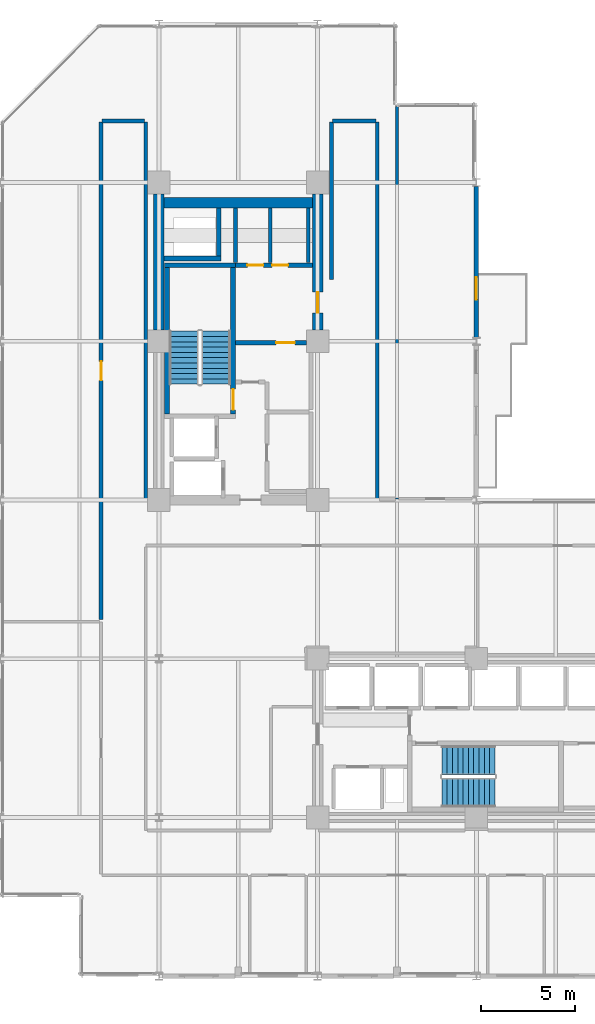
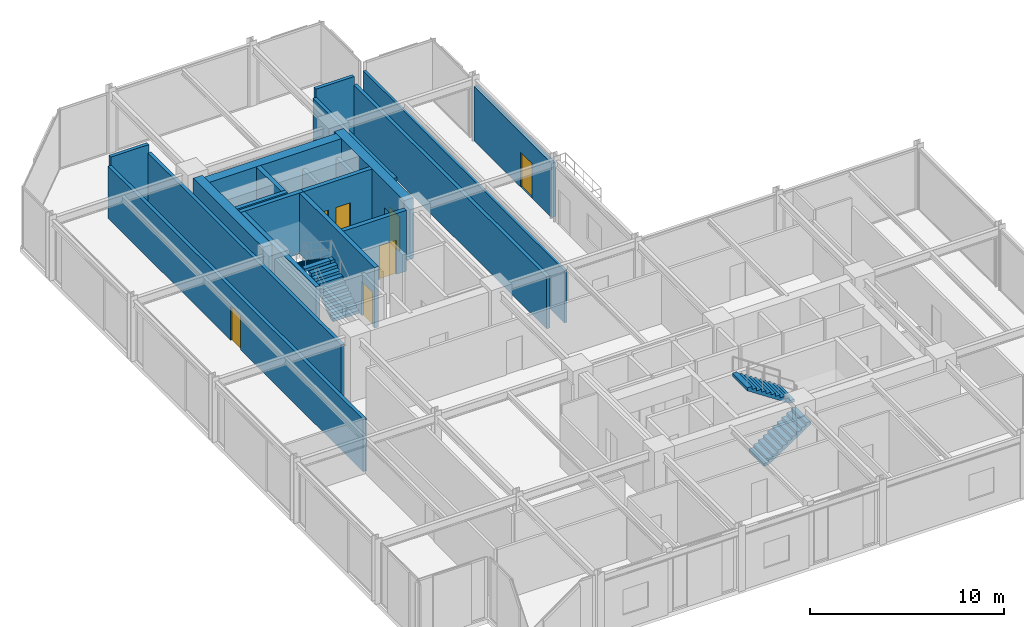
# One storey, part 26 of 29: 21 walls, 7 doors, 4 stair flights, 7 openings, 2 elements without a shape of their own.
"""IFC4 building model written with IfcOpenShell, lengths in metres."""

from ifc_helpers import new_model, si_unit, direction, frame, frame_2d, origin, place, context, subcontext, project, spatial, polyline, rectangle, outline, extrude, material, layer, layer_set, type_object, element, fill, aggregate, save


model = new_model("IFC4")

# Units and contexts
model_context = context("Model", 3, precision=1e-05, world=origin(), true_north=direction((0.0, 1.0)))
body_context = subcontext(model_context, "Body", "Model", "MODEL_VIEW")
ifc_project = project(units=[si_unit("LENGTHUNIT", "METRE"), si_unit("AREAUNIT", "SQUARE_METRE"), si_unit("VOLUMEUNIT", "CUBIC_METRE"), si_unit("PLANEANGLEUNIT", "RADIAN"), si_unit("MASSUNIT", "GRAM", prefix="KILO")], contexts=[model_context])

# Site, building, storey
site_placement = place(None, origin())
site = spatial("IfcSite", under=ifc_project, at=site_placement, CompositionType="ELEMENT")
building_placement = place(site_placement, origin())
building = spatial("IfcBuilding", under=site, at=building_placement, Name="Nerrivon Quay Data Exchange", CompositionType="ELEMENT")
storey_placement = place(building_placement, frame((0.0, 0.0, 121.300048828125)))
storey = spatial("IfcBuildingStorey", under=building, at=storey_placement, Name="L28", CompositionType="ELEMENT", Elevation=121.300048828125)

# Wall, opening, door
ifc_material_1 = material(Name="Architectural terracotta precast concrete N50 (50 MPa)", Category="masonry")
ifc_layer_1 = layer(ifc_material_1, 0.239990234375)
ifc_layer_set_1 = layer_set([ifc_layer_1], Name="Architectural terracotta precast concrete N50 (50 MPa)")
wall_type_1 = type_object("IfcWallType", Name="EW-PREC-240", PredefinedType="STANDARD", material=ifc_layer_set_1)
wall_1_placement = place(storey_placement, frame((25.199951171875, 41.800048828125, 0.0), z_axis=(0.0, 0.0, 1.0), x_axis=(0.0, -1.0, 0.0)))
wall_1 = element("IfcWall", 1, at=wall_1_placement, inside=storey, type_object=wall_type_1, Name="L28 Terrace Host Wall 24", PredefinedType="STANDARD", context=body_context, shape_type="SweptSolid", body=[
    extrude(rectangle(XDim=8.0, YDim=0.239990234375, at=frame_2d((4.0, 0.0))), origin(), (0.0, 0.0, 1.0), 3.421875),
])
opening_1_placement = place(wall_1_placement, frame((4.800048828125, 0.0, 0.0)))
opening_1 = element("IfcOpeningElement", 2, at=opening_1_placement, cuts=wall_1, Name="Opening TD1", PredefinedType="OPENING", context=body_context, shape_type="SweptSolid", body=[
    extrude(rectangle(XDim=1.199951171875, YDim=2.199951171875, at=frame_2d((0.60009765625, 1.10009765625))), frame((0.0, 0.1298828125, 0.0), z_axis=(0.0, -1.0, 0.0), x_axis=(1.0, 0.0, 0.0)), (0.0, 0.0, 1.0), 0.260009765625),
])
ifc_material_2 = material(Name="Double-glazed low-E solar control glass", Category="glass")
door_type_1 = type_object("IfcDoorType", Name="DR-TERR-1200x2200", OperationType="NOTDEFINED", PredefinedType="DOOR", material=ifc_material_2)
door_1_placement = place(opening_1_placement, origin())
door_1 = element("IfcDoor", 3, at=door_1_placement, inside=storey, type_object=door_type_1, Name="L28 Outdoor Terrace Access Door 24", OperationType="SINGLE_SWING_LEFT", OverallHeight=2.199951171875, OverallWidth=1.199951171875, PredefinedType="DOOR", context=body_context, shape_type="SweptSolid", body=[
    extrude(rectangle(XDim=1.199951171875, YDim=2.199951171875, at=frame_2d((0.60009765625, 1.10009765625))), frame((0.0, 0.02490234375, 0.0), z_axis=(0.0, -1.0, 0.0), x_axis=(1.0, 0.0, 0.0)), (0.0, 0.0, 1.0), 0.050048828125),
])
fill(opening_1, door_1)

# Walls
ifc_material_3 = material(Name="Concrete S65 (65 MPa)", Category="concrete")
ifc_layer_2 = layer(ifc_material_3, 0.550048828125)
ifc_layer_set_2 = layer_set([ifc_layer_2], Name="Concrete S65 (65 MPa)")
wall_type_2 = type_object("IfcWallType", Name="WALL-CW-700", PredefinedType="SHEAR", material=ifc_layer_set_2)
wall_2_placement = place(storey_placement, frame((8.39990234375, 34.199951171875, 0.0), z_axis=(0.0, 0.0, 1.0), x_axis=(0.0, 1.0, 0.0)))
element("IfcWall", 4, at=wall_2_placement, inside=storey, type_object=wall_type_2, Name="L28 West Split-Core Shear Wall WCW-W2", PredefinedType="SHEAR", context=body_context, shape_type="SweptSolid", body=[
    extrude(rectangle(XDim=7.199951171875, YDim=0.550048828125, at=frame_2d((3.60009765625, 0.0))), origin(), (0.0, 0.0, 1.0), 3.824951171875),
])
wall_3_placement = place(storey_placement, frame((8.675048828125, 40.925048828125, 0.0), z_axis=(0.0, 0.0, 1.0), x_axis=(1.0, 0.0, 0.0)))
element("IfcWall", 5, at=wall_3_placement, inside=storey, type_object=wall_type_2, Name="L28 West Split-Core Shear Wall WCW-N1", PredefinedType="SHEAR", context=body_context, shape_type="SweptSolid", body=[
    extrude(rectangle(XDim=7.849853515625, YDim=0.550048828125, at=frame_2d((3.9248046875, 0.0))), origin(), (0.0, 0.0, 1.0), 3.824951171875),
])

# Wall, opening, door
wall_4_placement = place(storey_placement, frame((16.800048828125, 34.199951171875, 0.0), z_axis=(0.0, 0.0, 1.0), x_axis=(0.0, 1.0, 0.0)))
wall_4 = element("IfcWall", 6, at=wall_4_placement, inside=storey, type_object=wall_type_2, Name="L28 West Split-Core Shear Wall WCW-E1", PredefinedType="SHEAR", context=body_context, shape_type="SweptSolid", body=[
    extrude(rectangle(XDim=7.199951171875, YDim=0.550048828125, at=frame_2d((3.60009765625, 0.0))), origin(), (0.0, 0.0, 1.0), 3.824951171875),
])
opening_2_placement = place(wall_4_placement, frame((0.89990234375, 0.0, 0.0)))
opening_2 = element("IfcOpeningElement", 7, at=opening_2_placement, cuts=wall_4, Name="Opening FD-120", PredefinedType="OPENING", context=body_context, shape_type="SweptSolid", body=[
    extrude(rectangle(XDim=1.10009765625, YDim=2.14990234375, at=frame_2d((0.550048828125, 1.074951171875))), frame((0.0, 0.284912109375, 0.0), z_axis=(0.0, -1.0, 0.0), x_axis=(1.0, 0.0, 0.0)), (0.0, 0.0, 1.0), 0.570068359375),
])
ifc_material_4 = material(Name="Powder-coated galvanized steel sheet", Category="steel")
door_type_2 = type_object("IfcDoorType", Name="DR-FD120-1100", OperationType="NOTDEFINED", PredefinedType="DOOR", material=ifc_material_4)
door_2_placement = place(opening_2_placement, origin())
door_2 = element("IfcDoor", 8, at=door_2_placement, inside=storey, type_object=door_type_2, Name="L28 West Core Lobby Fire Door", OperationType="SINGLE_SWING_LEFT", OverallHeight=2.14990234375, OverallWidth=1.10009765625, PredefinedType="DOOR", context=body_context, shape_type="SweptSolid", body=[
    extrude(rectangle(XDim=1.10009765625, YDim=2.14990234375, at=frame_2d((0.550048828125, 1.074951171875))), frame((0.0, 0.02490234375, 0.0), z_axis=(0.0, -1.0, 0.0), x_axis=(1.0, 0.0, 0.0)), (0.0, 0.0, 1.0), 0.050048828125),
])
fill(opening_2, door_2)

# Walls
ifc_material_5 = material(Name="Gypsum plasterboard on cold-formed framing", Category="gypsum")
ifc_layer_3 = layer(ifc_material_5, 0.199951171875)
ifc_layer_set_3 = layer_set([ifc_layer_3], Name="Gypsum plasterboard on cold-formed framing")
wall_type_3 = type_object("IfcWallType", Name="WALL-FW-200", PredefinedType="PARTITIONING", material=ifc_layer_set_3)
for number, where, z_axis, x_axis, name in (
    (9, (14.300048828125, 37.780029296875, 0.0), (0.0, 0.0, 1.0), (0.0, 1.0, 0.0), "L28 Partition Cleaners Store"),
    (10, (12.449951171875, 40.64599609375, 0.0), (0.0, 0.0, 1.0), (0.0, -1.0, 0.0), "L28 Partition Cleaners Store"),
    (11, (16.300048828125, 37.780029296875, 0.0), (0.0, 0.0, 1.0), (0.0, 1.0, 0.0), "L28 Partition Janitor Closet"),
):
    element("IfcWall", number, at=place(storey_placement, frame(where, z_axis=z_axis, x_axis=x_axis)), inside=storey, type_object=wall_type_3, Name=name, PredefinedType="PARTITIONING", context=body_context, shape_type="SweptSolid", body=[
        extrude(rectangle(XDim=2.865966796875, YDim=0.199951171875, at=frame_2d((1.43310546875, 0.0))), origin(), (0.0, 0.0, 1.0), 2.724853515625),
    ])
wall_5_placement = place(storey_placement, frame((19.9599609375, 45.199951171875, 0.0), z_axis=(0.0, 0.0, 1.0), x_axis=(0.0, -1.0, 0.0)))
element("IfcWall", 12, at=wall_5_placement, inside=storey, type_object=wall_type_3, Name="L28 Partition Colocation Data Workspace 1", PredefinedType="PARTITIONING", context=body_context, shape_type="SweptSolid", body=[
    extrude(rectangle(XDim=19.93994140625, YDim=0.199951171875, at=frame_2d((9.969970703125, 0.0))), origin(), (0.0, 0.0, 1.0), 3.2919921875),
])

# Wall, opening, door
wall_6_placement = place(storey_placement, frame((5.340087890625, 18.8671875, 0.0), z_axis=(0.0, 0.0, 1.0), x_axis=(0.0, 1.0, 0.0)))
wall_6 = element("IfcWall", 13, at=wall_6_placement, inside=storey, type_object=wall_type_3, Name="L28 Partition Colocation Data Workspace 1", PredefinedType="PARTITIONING", context=body_context, shape_type="SweptSolid", body=[
    extrude(rectangle(XDim=26.332763671875, YDim=0.199951171875, at=frame_2d((13.16650390625, 0.0))), origin(), (0.0, 0.0, 1.0), 3.2919921875),
])
opening_3_placement = place(wall_6_placement, frame((12.66650390625, 0.0, 0.0)))
opening_3 = element("IfcOpeningElement", 14, at=opening_3_placement, cuts=wall_6, Name="Opening FD-60", PredefinedType="OPENING", context=body_context, shape_type="SweptSolid", body=[
    extrude(rectangle(XDim=1.0, YDim=2.14990234375, at=frame_2d((0.5, 1.074951171875))), frame((0.0, 0.10986328125, 0.0), z_axis=(0.0, -1.0, 0.0), x_axis=(1.0, 0.0, 0.0)), (0.0, 0.0, 1.0), 0.219970703125),
])
ifc_material_6 = material(Name="Engineered hardwood timber", Category="wood")
door_type_3 = type_object("IfcDoorType", Name="DR-FD60-1000", OperationType="NOTDEFINED", PredefinedType="DOOR", material=ifc_material_6)
door_3_placement = place(opening_3_placement, origin())
door_3 = element("IfcDoor", 15, at=door_3_placement, inside=storey, type_object=door_type_3, Name="L28 Door Colocation Data Workspace 1", OperationType="SINGLE_SWING_LEFT", OverallHeight=2.14990234375, OverallWidth=1.0, PredefinedType="DOOR", context=body_context, shape_type="SweptSolid", body=[
    extrude(rectangle(XDim=1.0, YDim=2.14990234375, at=frame_2d((0.5, 1.074951171875))), frame((0.0, 0.02490234375, 0.0), z_axis=(0.0, -1.0, 0.0), x_axis=(1.0, 0.0, 0.0)), (0.0, 0.0, 1.0), 0.050048828125),
])
fill(opening_3, door_3)

# Walls
wall_7_placement = place(storey_placement, frame((5.39990234375, 45.260009765625, 0.0), z_axis=(0.0, 0.0, 1.0), x_axis=(1.0, 0.0, 0.0)))
element("IfcWall", 16, at=wall_7_placement, inside=storey, type_object=wall_type_3, Name="L28 Partition Colocation Data Workspace 1", PredefinedType="PARTITIONING", context=body_context, shape_type="SweptSolid", body=[
    extrude(rectangle(XDim=2.25, YDim=0.199951171875, at=frame_2d((1.125, 0.0))), origin(), (0.0, 0.0, 1.0), 3.824951171875),
])
wall_8_placement = place(storey_placement, frame((7.709716796875, 45.205810546875, 0.0), z_axis=(0.0, 0.0, 1.0), x_axis=(1.2240202e-05, -0.999999999925, 0.0)))
element("IfcWall", 17, at=wall_8_placement, inside=storey, type_object=wall_type_3, Name="L28 Partition Colocation Data Workspace 1", PredefinedType="PARTITIONING", context=body_context, shape_type="SweptSolid", body=[
    extrude(rectangle(XDim=19.94580078125, YDim=0.199951171875, at=frame_2d((9.972900390625, 0.0))), origin(), (0.0, 0.0, 1.0), 3.2919921875),
])
wall_9_placement = place(storey_placement, frame((17.5400390625, 36.860107421875, 0.0), z_axis=(0.0, 0.0, 1.0), x_axis=(0.0, 1.0, 0.0)))
element("IfcWall", 18, at=wall_9_placement, inside=storey, type_object=wall_type_3, Name="L28 Partition Colocation Data Workspace 1", PredefinedType="PARTITIONING", context=body_context, shape_type="SweptSolid", body=[
    extrude(rectangle(XDim=8.33984375, YDim=0.199951171875, at=frame_2d((4.169921875, 0.0))), origin(), (0.0, 0.0, 1.0), 3.2919921875),
])
wall_10_placement = place(storey_placement, frame((17.60009765625, 45.260009765625, 0.0), z_axis=(0.0, 0.0, 1.0), x_axis=(1.0, 0.0, 0.0)))
element("IfcWall", 19, at=wall_10_placement, inside=storey, type_object=wall_type_3, Name="L28 Partition Colocation Data Workspace 1", PredefinedType="PARTITIONING", context=body_context, shape_type="SweptSolid", body=[
    extrude(rectangle(XDim=2.2998046875, YDim=0.199951171875, at=frame_2d((1.14990234375, 0.0))), origin(), (0.0, 0.0, 1.0), 3.824951171875),
])
ifc_layer_4 = layer(ifc_material_5, 0.14990234375)
ifc_layer_set_4 = layer_set([ifc_layer_4], Name="Gypsum plasterboard on cold-formed framing")
wall_type_4 = type_object("IfcWallType", Name="WALL-PT-150", PredefinedType="PARTITIONING", material=ifc_layer_set_4)
wall_11_placement = place(storey_placement, frame((21.0, 46.031005859375, 0.0), z_axis=(0.0, 0.0, 1.0), x_axis=(0.0, -1.0, 0.0)))
element("IfcWall", 20, at=wall_11_placement, inside=storey, type_object=wall_type_4, Name="L28 Partition Technical Library", PredefinedType="PARTITIONING", context=body_context, shape_type="SweptSolid", body=[
    extrude(rectangle(XDim=20.77099609375, YDim=0.14990234375, at=frame_2d((10.385498046875, 0.0))), origin(), (0.0, 0.0, 1.0), 3.2919921875),
])
ifc_material_7 = material(Name="Concrete N50 (50 MPa)", Category="concrete")
ifc_layer_5 = layer(ifc_material_7, 0.25)
ifc_layer_set_5 = layer_set([ifc_layer_5], Name="Concrete N50 (50 MPa)")
wall_type_5 = type_object("IfcWallType", Name="WALL-SW-250", PredefinedType="SHEAR", material=ifc_layer_set_5)
wall_12_placement = place(storey_placement, frame((12.449951171875, 37.625, 0.0), z_axis=(0.0, 0.0, 1.0), x_axis=(-1.0, 0.0, 0.0)))
element("IfcWall", 21, at=wall_12_placement, inside=storey, type_object=wall_type_5, Name="L28 ST01 Structural Stair Core Wall FAR", PredefinedType="SHEAR", context=body_context, shape_type="SweptSolid", body=[
    extrude(rectangle(XDim=3.75, YDim=0.25, at=frame_2d((1.875, 0.0))), origin(), (0.0, 0.0, 1.0), 3.824951171875),
])

# Wall, opening, door
wall_13_placement = place(storey_placement, frame((12.324951171875, 29.75, 0.0), z_axis=(0.0, 0.0, 1.0), x_axis=(0.0, 1.0, 0.0)))
wall_13 = element("IfcWall", 22, at=wall_13_placement, inside=storey, type_object=wall_type_5, Name="L28 ST01 Structural Stair Core Wall LEFT", PredefinedType="SHEAR", context=body_context, shape_type="SweptSolid", body=[
    extrude(rectangle(XDim=7.75, YDim=0.25, at=frame_2d((3.875, 0.0))), origin(), (0.0, 0.0, 1.0), 3.824951171875),
])
opening_4_placement = place(wall_13_placement, frame((0.219970703125, 0.0, 0.0)))
opening_4 = element("IfcOpeningElement", 23, at=opening_4_placement, cuts=wall_13, Name="Opening FD-120", PredefinedType="OPENING", context=body_context, shape_type="SweptSolid", body=[
    extrude(rectangle(XDim=1.10009765625, YDim=2.14990234375, at=frame_2d((0.550048828125, 1.074951171875))), frame((0.0, 0.135009765625, 0.0), z_axis=(0.0, -1.0, 0.0), x_axis=(1.0, 0.0, 0.0)), (0.0, 0.0, 1.0), 0.27001953125),
])
door_4_placement = place(opening_4_placement, origin())
door_4 = element("IfcDoor", 24, at=door_4_placement, inside=storey, type_object=door_type_2, Name="L28 Protected Stair Door ST01", OperationType="SINGLE_SWING_LEFT", OverallHeight=2.14990234375, OverallWidth=1.10009765625, PredefinedType="DOOR", context=body_context, shape_type="SweptSolid", body=[
    extrude(rectangle(XDim=1.10009765625, YDim=2.14990234375, at=frame_2d((0.550048828125, 1.074951171875))), frame((0.0, 0.02490234375, 0.0), z_axis=(0.0, -1.0, 0.0), x_axis=(1.0, 0.0, 0.0)), (0.0, 0.0, 1.0), 0.050048828125),
])
fill(opening_4, door_4)

# Walls
wall_14_placement = place(storey_placement, frame((8.824951171875, 29.75, 0.0), z_axis=(0.0, 0.0, 1.0), x_axis=(0.0, 1.0, 0.0)))
element("IfcWall", 25, at=wall_14_placement, inside=storey, type_object=wall_type_5, Name="L28 ST01 Structural Stair Core Wall RIGHT", PredefinedType="SHEAR", context=body_context, shape_type="SweptSolid", body=[
    extrude(rectangle(XDim=7.75, YDim=0.25, at=frame_2d((3.875, 0.0))), origin(), (0.0, 0.0, 1.0), 3.824951171875),
])
wall_15_placement = place(storey_placement, frame((8.675048828125, 37.97509765625, 0.0), z_axis=(0.0, 0.0, 1.0), x_axis=(1.0, 0.0, 0.0)))
element("IfcWall", 26, at=wall_15_placement, inside=storey, type_object=wall_type_5, Name="L28 West Core MEP Riser Shaft Wall S", PredefinedType="SHEAR", context=body_context, shape_type="SweptSolid", body=[
    extrude(rectangle(XDim=3.02490234375, YDim=0.25, at=frame_2d((1.512451171875, 0.0))), origin(), (0.0, 0.0, 1.0), 3.824951171875),
])
wall_16_placement = place(storey_placement, frame((11.574951171875, 38.10009765625, 0.0), z_axis=(0.0, 0.0, 1.0), x_axis=(0.0, 1.0, 0.0)))
element("IfcWall", 27, at=wall_16_placement, inside=storey, type_object=wall_type_5, Name="L28 West Core MEP Riser Shaft Wall E", PredefinedType="SHEAR", context=body_context, shape_type="SweptSolid", body=[
    extrude(rectangle(XDim=2.5498046875, YDim=0.25, at=frame_2d((1.27490234375, 0.0))), origin(), (0.0, 0.0, 1.0), 3.824951171875),
])

# Wall, opening, door
wall_17_placement = place(storey_placement, frame((12.449951171875, 33.52001953125, 0.0), z_axis=(0.0, 0.0, 1.0), x_axis=(1.0, 0.0, 0.0)))
wall_17 = element("IfcWall", 28, at=wall_17_placement, inside=storey, type_object=wall_type_5, Name="L28 West Lobby Smoke-Stop Wall", PredefinedType="SHEAR", context=body_context, shape_type="SweptSolid", body=[
    extrude(rectangle(XDim=3.75, YDim=0.25, at=frame_2d((1.875, 0.0))), origin(), (0.0, 0.0, 1.0), 3.824951171875),
])
opening_5_placement = place(wall_17_placement, frame((2.14990234375, 0.0, 0.0)))
opening_5 = element("IfcOpeningElement", 29, at=opening_5_placement, cuts=wall_17, Name="Opening FD-60", PredefinedType="OPENING", context=body_context, shape_type="SweptSolid", body=[
    extrude(rectangle(XDim=1.0, YDim=2.14990234375, at=frame_2d((0.5, 1.074951171875))), frame((0.0, 0.135009765625, 0.0), z_axis=(0.0, -1.0, 0.0), x_axis=(1.0, 0.0, 0.0)), (0.0, 0.0, 1.0), 0.27001953125),
])
door_5_placement = place(opening_5_placement, origin())
door_5 = element("IfcDoor", 30, at=door_5_placement, inside=storey, type_object=door_type_3, Name="L28 West Firefighting Lobby Fire Door", OperationType="SINGLE_SWING_LEFT", OverallHeight=2.14990234375, OverallWidth=1.0, PredefinedType="DOOR", context=body_context, shape_type="SweptSolid", body=[
    extrude(rectangle(XDim=1.0, YDim=2.14990234375, at=frame_2d((0.5, 1.074951171875))), frame((0.0, 0.02490234375, 0.0), z_axis=(0.0, -1.0, 0.0), x_axis=(1.0, 0.0, 0.0)), (0.0, 0.0, 1.0), 0.050048828125),
])
fill(opening_5, door_5)

# Wall, openings, doors
wall_18_placement = place(storey_placement, frame((12.449951171875, 37.625, 0.0), z_axis=(0.0, 0.0, 1.0), x_axis=(1.0, 0.0, 0.0)))
wall_18 = element("IfcWall", 31, at=wall_18_placement, inside=storey, type_object=wall_type_5, Name="L28 West Firefighting Lobby Wall", PredefinedType="SHEAR", context=body_context, shape_type="SweptSolid", body=[
    extrude(rectangle(XDim=4.074951171875, YDim=0.25, at=frame_2d((2.03759765625, 0.0))), origin(), (0.0, 0.0, 1.0), 3.824951171875),
])
opening_6_placement = place(wall_18_placement, frame((0.634521484375, 0.0, 0.0)))
opening_6 = element("IfcOpeningElement", 32, at=opening_6_placement, cuts=wall_18, Name="Opening FD-60S", PredefinedType="OPENING", context=body_context, shape_type="SweptSolid", body=[
    extrude(rectangle(XDim=0.85009765625, YDim=2.14990234375, at=frame_2d((0.425048828125, 1.074951171875))), frame((0.0, 0.135009765625, 0.0), z_axis=(0.0, -1.0, 0.0), x_axis=(1.0, 0.0, 0.0)), (0.0, 0.0, 1.0), 0.27001953125),
])
opening_7_placement = place(wall_18_placement, frame((1.9384765625, 0.0, 0.0)))
opening_7 = element("IfcOpeningElement", 33, at=opening_7_placement, cuts=wall_18, Name="Opening FD-60S", PredefinedType="OPENING", context=body_context, shape_type="SweptSolid", body=[
    extrude(rectangle(XDim=0.85009765625, YDim=2.14990234375, at=frame_2d((0.425048828125, 1.074951171875))), frame((0.0, 0.135009765625, 0.0), z_axis=(0.0, -1.0, 0.0), x_axis=(1.0, 0.0, 0.0)), (0.0, 0.0, 1.0), 0.27001953125),
])
door_type_4 = type_object("IfcDoorType", Name="DR-FD60-850", OperationType="NOTDEFINED", PredefinedType="DOOR", material=ifc_material_6)
door_6_placement = place(opening_6_placement, origin())
door_6 = element("IfcDoor", 34, at=door_6_placement, inside=storey, type_object=door_type_4, Name="L28 Door Cleaners Store", OperationType="SINGLE_SWING_LEFT", OverallHeight=2.14990234375, OverallWidth=0.85009765625, PredefinedType="DOOR", context=body_context, shape_type="SweptSolid", body=[
    extrude(rectangle(XDim=0.85009765625, YDim=2.14990234375, at=frame_2d((0.425048828125, 1.074951171875))), frame((0.0, 0.02490234375, 0.0), z_axis=(0.0, -1.0, 0.0), x_axis=(1.0, 0.0, 0.0)), (0.0, 0.0, 1.0), 0.050048828125),
])
fill(opening_6, door_6)
door_7_placement = place(opening_7_placement, origin())
door_7 = element("IfcDoor", 35, at=door_7_placement, inside=storey, type_object=door_type_4, Name="L28 Door Janitor Closet", OperationType="SINGLE_SWING_RIGHT", OverallHeight=2.14990234375, OverallWidth=0.85009765625, PredefinedType="DOOR", context=body_context, shape_type="SweptSolid", body=[
    extrude(rectangle(XDim=0.85009765625, YDim=2.14990234375, at=frame_2d((0.425048828125, 1.074951171875))), frame((0.0, 0.02490234375, 0.0), z_axis=(0.0, -1.0, 0.0), x_axis=(1.0, 0.0, 0.0)), (0.0, 0.0, 1.0), 0.050048828125),
])
fill(opening_7, door_7)

# Stair, stair flights
stair_type = type_object("IfcStairType", Name="STAIR-DOG-41", PredefinedType="HALF_TURN_STAIR", material=ifc_material_7)
stair_1_placement = place(storey_placement, origin())
stair_1 = element("IfcStair", 36, at=stair_1_placement, inside=storey, type_object=stair_type, Name="L28 West Core Fire Stair ST01", PredefinedType="HALF_TURN_STAIR")
stair_flight_type = type_object("IfcStairFlightType", Name="FLIGHT-DOG-41", PredefinedType="STRAIGHT", material=ifc_material_7)
stair_flight_1_placement = place(storey_placement, frame((11.425048828125, 31.330078125, 0.0), z_axis=(0.0, 0.0, 1.0), x_axis=(0.0, 1.0, 0.0)))
stair_flight_1 = element("IfcStairFlight", 37, at=stair_flight_1_placement, type_object=stair_flight_type, Name="ST01 flight 1", NumberOfRisers=11, NumberOfTreads=10, PredefinedType="STRAIGHT", RiserHeight=0.186363636, TreadLength=0.28, context=body_context, shape_type="SweptSolid", body=[
    extrude(outline(polyline([(0.0, 0.0), (0.0, 0.186279296875), (0.280029296875, 0.186279296875), (0.280029296875, 0.372802734375), (0.56005859375, 0.372802734375), (0.56005859375, 0.55908203125), (0.840087890625, 0.55908203125), (0.840087890625, 0.745361328125), (1.1201171875, 0.745361328125), (1.1201171875, 0.931884765625), (1.39990234375, 0.931884765625), (1.39990234375, 1.1181640625), (1.679931640625, 1.1181640625), (1.679931640625, 1.304443359375), (1.9599609375, 1.304443359375), (1.9599609375, 1.490966796875), (2.239990234375, 1.490966796875), (2.239990234375, 1.67724609375), (2.52001953125, 1.67724609375), (2.52001953125, 1.863525390625), (2.800048828125, 1.863525390625), (2.800048828125, 2.050048828125), (2.800048828125, 1.68359375), (0.2705078125, 0.0), (0.0, 0.0)])), frame((0.0, 0.77490234375, 0.0), z_axis=(0.0, -1.0, 0.0), x_axis=(1.0, 0.0, 0.0)), (0.0, 0.0, 1.0), 1.550048828125),
])
stair_flight_2_placement = place(storey_placement, frame((9.72509765625, 34.1298828125, 2.050048828125), z_axis=(0.0, 0.0, 1.0), x_axis=(0.0, -1.0, 0.0)))
stair_flight_2 = element("IfcStairFlight", 38, at=stair_flight_2_placement, type_object=stair_flight_type, Name="ST01 flight 2", NumberOfRisers=11, NumberOfTreads=10, PredefinedType="STRAIGHT", RiserHeight=0.186363636, TreadLength=0.28, context=body_context, shape_type="SweptSolid", body=[
    extrude(outline(polyline([(0.0, 0.0), (0.0, 0.186279296875), (0.280029296875, 0.186279296875), (0.280029296875, 0.372802734375), (0.56005859375, 0.372802734375), (0.56005859375, 0.55908203125), (0.840087890625, 0.55908203125), (0.840087890625, 0.745361328125), (1.1201171875, 0.745361328125), (1.1201171875, 0.931884765625), (1.39990234375, 0.931884765625), (1.39990234375, 1.1181640625), (1.679931640625, 1.1181640625), (1.679931640625, 1.304443359375), (1.9599609375, 1.304443359375), (1.9599609375, 1.490966796875), (2.239990234375, 1.490966796875), (2.239990234375, 1.67724609375), (2.52001953125, 1.67724609375), (2.52001953125, 1.863525390625), (2.800048828125, 1.863525390625), (2.800048828125, 2.050048828125), (2.800048828125, 1.68359375), (0.2705078125, 0.0), (0.0, 0.0)])), frame((0.0, 0.77490234375, 0.0), z_axis=(0.0, -1.0, 0.0), x_axis=(1.0, 0.0, 0.0)), (0.0, 0.0, 1.0), 1.550048828125),
])
aggregate(stair_1, [stair_flight_1, stair_flight_2])

stair_2_placement = place(storey_placement, origin())
stair_2 = element("IfcStair", 39, at=stair_2_placement, inside=storey, type_object=stair_type, Name="L28 East Core Fire Stair ST02", PredefinedType="HALF_TURN_STAIR")
stair_flight_3_placement = place(storey_placement, frame((23.3798828125, 9.72509765625, 0.0), z_axis=(0.0, 0.0, 1.0), x_axis=(1.0, 0.0, 0.0)))
stair_flight_3 = element("IfcStairFlight", 40, at=stair_flight_3_placement, type_object=stair_flight_type, Name="ST02 flight 1", NumberOfRisers=11, NumberOfTreads=10, PredefinedType="STRAIGHT", RiserHeight=0.186363636, TreadLength=0.28, context=body_context, shape_type="SweptSolid", body=[
    extrude(outline(polyline([(0.0, 0.0), (0.0, 0.186279296875), (0.280029296875, 0.186279296875), (0.280029296875, 0.372802734375), (0.56005859375, 0.372802734375), (0.56005859375, 0.55908203125), (0.840087890625, 0.55908203125), (0.840087890625, 0.745361328125), (1.1201171875, 0.745361328125), (1.1201171875, 0.931884765625), (1.39990234375, 0.931884765625), (1.39990234375, 1.1181640625), (1.679931640625, 1.1181640625), (1.679931640625, 1.304443359375), (1.9599609375, 1.304443359375), (1.9599609375, 1.490966796875), (2.239990234375, 1.490966796875), (2.239990234375, 1.67724609375), (2.52001953125, 1.67724609375), (2.52001953125, 1.863525390625), (2.800048828125, 1.863525390625), (2.800048828125, 2.050048828125), (2.800048828125, 1.68359375), (0.2705078125, 0.0), (0.0, 0.0)])), frame((0.0, 0.77490234375, 0.0), z_axis=(0.0, -1.0, 0.0), x_axis=(1.0, 0.0, 0.0)), (0.0, 0.0, 1.0), 1.550048828125),
])
stair_flight_4_placement = place(storey_placement, frame((26.179931640625, 11.425048828125, 2.050048828125), z_axis=(0.0, 0.0, 1.0), x_axis=(-1.0, 0.0, 0.0)))
stair_flight_4 = element("IfcStairFlight", 41, at=stair_flight_4_placement, type_object=stair_flight_type, Name="ST02 flight 2", NumberOfRisers=11, NumberOfTreads=10, PredefinedType="STRAIGHT", RiserHeight=0.186363636, TreadLength=0.28, context=body_context, shape_type="SweptSolid", body=[
    extrude(outline(polyline([(0.0, 0.0), (0.0, 0.186279296875), (0.280029296875, 0.186279296875), (0.280029296875, 0.372802734375), (0.56005859375, 0.372802734375), (0.56005859375, 0.55908203125), (0.840087890625, 0.55908203125), (0.840087890625, 0.745361328125), (1.1201171875, 0.745361328125), (1.1201171875, 0.931884765625), (1.39990234375, 0.931884765625), (1.39990234375, 1.1181640625), (1.679931640625, 1.1181640625), (1.679931640625, 1.304443359375), (1.9599609375, 1.304443359375), (1.9599609375, 1.490966796875), (2.239990234375, 1.490966796875), (2.239990234375, 1.67724609375), (2.52001953125, 1.67724609375), (2.52001953125, 1.863525390625), (2.800048828125, 1.863525390625), (2.800048828125, 2.050048828125), (2.800048828125, 1.68359375), (0.2705078125, 0.0), (0.0, 0.0)])), frame((0.0, 0.77490234375, 0.0), z_axis=(0.0, -1.0, 0.0), x_axis=(1.0, 0.0, 0.0)), (0.0, 0.0, 1.0), 1.550048828125),
])
aggregate(stair_2, [stair_flight_3, stair_flight_4])

save(model, "model.ifc")
